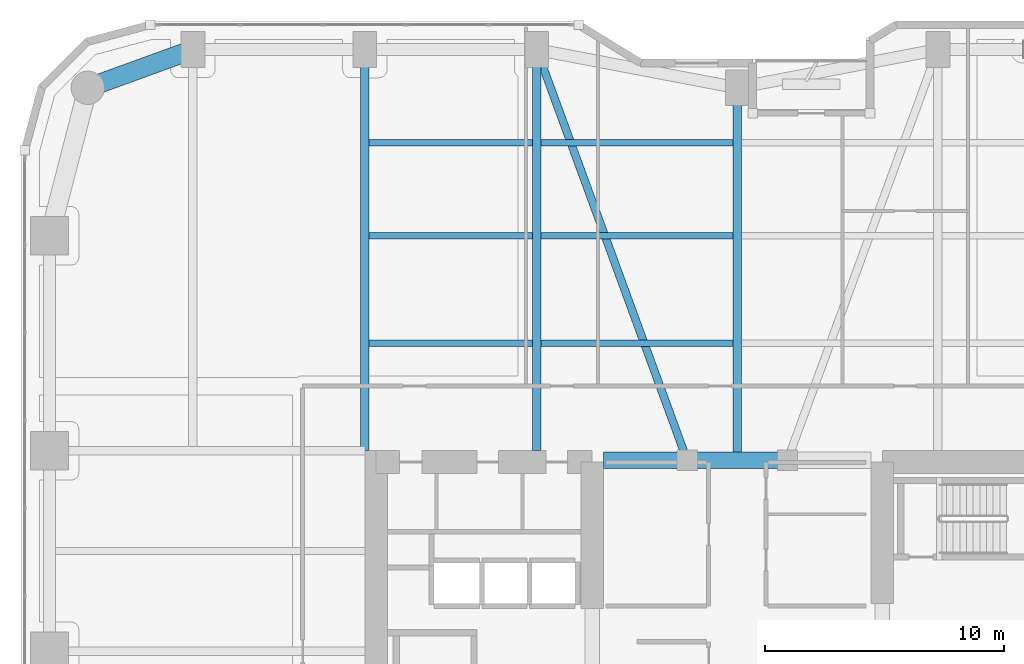
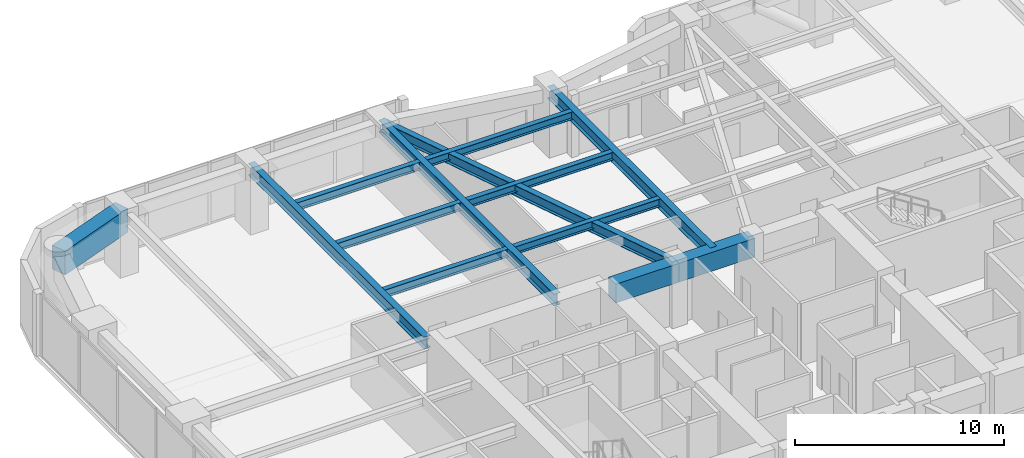
# One storey, part 15 of 29: 13 beams.
"""IFC4 building model written with IfcOpenShell, lengths in metres."""

from ifc_helpers import new_model, si_unit, direction, frame, origin, origin_2d, place, context, subcontext, project, spatial, rectangle, i_section, extrude, material, material_profile, profile_set, type_object, element, save


model = new_model("IFC4")

# Units and contexts
model_context = context("Model", 3, precision=1e-05, world=origin(), true_north=direction((0.0, 1.0)))
body_context = subcontext(model_context, "Body", "Model", "MODEL_VIEW")
ifc_project = project(units=[si_unit("LENGTHUNIT", "METRE"), si_unit("AREAUNIT", "SQUARE_METRE"), si_unit("VOLUMEUNIT", "CUBIC_METRE"), si_unit("PLANEANGLEUNIT", "RADIAN"), si_unit("MASSUNIT", "GRAM", prefix="KILO")], contexts=[model_context])

# Site, building, storey
site_placement = place(None, origin())
site = spatial("IfcSite", under=ifc_project, at=site_placement, CompositionType="ELEMENT")
building_placement = place(site_placement, origin())
building = spatial("IfcBuilding", under=site, at=building_placement, Name="Kiyonajd Concourse Tower", CompositionType="ELEMENT")
storey_placement = place(building_placement, frame((0.0, 0.0, 52.800048828125)))
storey = spatial("IfcBuildingStorey", under=building, at=storey_placement, Name="L14", CompositionType="ELEMENT", Elevation=52.800048828125)

# Beams
ifc_material_1 = material(Name="Concrete C70/85", Category="concrete")
ifc_material_profile_1 = material_profile(ifc_material_1, rectangle(XDim=0.699951171875, YDim=1.10009765625, at=origin_2d()), Name="RCBM-700x1100")
ifc_profile_set_1 = profile_set([ifc_material_profile_1], Name="Concrete C70/85")
beam_type_1 = type_object("IfcBeamType", Name="BM-COUP-1100", PredefinedType="LINTEL", material=ifc_profile_set_1)
beam_1_placement = place(storey_placement, frame((42.39990234375, 44.0, 3.08984375), z_axis=(1.0, 0.0, 0.0), x_axis=(0.0, 1.0, 0.0)))
element("IfcBeam", 1, at=beam_1_placement, inside=storey, type_object=beam_type_1, Name="L14 Core Coupling Beam N1", PredefinedType="LINTEL", context=body_context, shape_type="SweptSolid", body=[
    extrude(rectangle(XDim=0.699951171875, YDim=1.10009765625, at=origin_2d()), origin(), (0.0, 0.0, 1.0), 3.5),
])
beam_2_placement = place(storey_placement, frame((45.89990234375, 44.0, 3.08984375), z_axis=(1.0, 0.0, 0.0), x_axis=(0.0, 1.0, 0.0)))
element("IfcBeam", 2, at=beam_2_placement, inside=storey, type_object=beam_type_1, Name="L14 Core Coupling Beam N2", PredefinedType="LINTEL", context=body_context, shape_type="SweptSolid", body=[
    extrude(rectangle(XDim=0.699951171875, YDim=1.10009765625, at=origin_2d()), origin(), (0.0, 0.0, 1.0), 4.2001953125),
])
ifc_material_2 = material(Name="Steel ASTM A992 Grade 50", Category="steel")
ifc_material_profile_2 = material_profile(ifc_material_2, i_section(OverallWidth=0.280029296875, OverallDepth=0.462890625, WebThickness=0.0107421875, FlangeThickness=0.017333984375, at=origin_2d()), Name="W460X113")
ifc_profile_set_2 = profile_set([ifc_material_profile_2], Name="Steel ASTM A992 Grade 50")
beam_type_2 = type_object("IfcBeamType", Name="BM-JST-460A", PredefinedType="JOIST", material=ifc_profile_set_2)
beam_3_placement = place(storey_placement, frame((32.577392578125, 48.89990234375, 3.408447265625), z_axis=(1.0, 0.0, 0.0), x_axis=(0.0, 1.0, 0.0)))
element("IfcBeam", 3, at=beam_3_placement, inside=storey, type_object=beam_type_2, Name="L14 Secondary Floor Joist", PredefinedType="JOIST", context=body_context, shape_type="SweptSolid", body=[
    extrude(i_section(OverallWidth=0.280029296875, OverallDepth=0.462890625, WebThickness=0.0107421875, FlangeThickness=0.017333984375, at=origin_2d()), origin(), (0.0, 0.0, 1.0), 6.84521484375),
])
beam_4_placement = place(storey_placement, frame((39.777587890625, 48.89990234375, 3.408447265625), z_axis=(1.0, 0.0, 0.0), x_axis=(0.0, 1.0, 0.0)))
element("IfcBeam", 4, at=beam_4_placement, inside=storey, type_object=beam_type_2, Name="L14 Secondary Floor Joist", PredefinedType="JOIST", context=body_context, shape_type="SweptSolid", body=[
    extrude(i_section(OverallWidth=0.280029296875, OverallDepth=0.462890625, WebThickness=0.0107421875, FlangeThickness=0.017333984375, at=origin_2d()), origin(), (0.0, 0.0, 1.0), 8.044921875),
])
beam_5_placement = place(storey_placement, frame((32.577392578125, 53.39990234375, 3.408447265625), z_axis=(1.0, 0.0, 0.0), x_axis=(0.0, 1.0, 0.0)))
element("IfcBeam", 5, at=beam_5_placement, inside=storey, type_object=beam_type_2, Name="L14 Secondary Floor Joist", PredefinedType="JOIST", context=body_context, shape_type="SweptSolid", body=[
    extrude(i_section(OverallWidth=0.280029296875, OverallDepth=0.462890625, WebThickness=0.0107421875, FlangeThickness=0.017333984375, at=origin_2d()), origin(), (0.0, 0.0, 1.0), 6.84521484375),
])
beam_6_placement = place(storey_placement, frame((39.777587890625, 53.39990234375, 3.408447265625), z_axis=(1.0, 0.0, 0.0), x_axis=(0.0, 1.0, 0.0)))
element("IfcBeam", 6, at=beam_6_placement, inside=storey, type_object=beam_type_2, Name="L14 Secondary Floor Joist", PredefinedType="JOIST", context=body_context, shape_type="SweptSolid", body=[
    extrude(i_section(OverallWidth=0.280029296875, OverallDepth=0.462890625, WebThickness=0.0107421875, FlangeThickness=0.017333984375, at=origin_2d()), origin(), (0.0, 0.0, 1.0), 8.044921875),
])
beam_7_placement = place(storey_placement, frame((32.577392578125, 57.300048828125, 3.408447265625), z_axis=(1.0, 0.0, 0.0), x_axis=(0.0, 1.0, 0.0)))
element("IfcBeam", 7, at=beam_7_placement, inside=storey, type_object=beam_type_2, Name="L14 Secondary Floor Joist", PredefinedType="JOIST", context=body_context, shape_type="SweptSolid", body=[
    extrude(i_section(OverallWidth=0.280029296875, OverallDepth=0.462890625, WebThickness=0.0107421875, FlangeThickness=0.017333984375, at=origin_2d()), origin(), (0.0, 0.0, 1.0), 6.84521484375),
])
beam_8_placement = place(storey_placement, frame((39.777587890625, 57.300048828125, 3.408447265625), z_axis=(1.0, 0.0, 0.0), x_axis=(0.0, 1.0, 0.0)))
element("IfcBeam", 8, at=beam_8_placement, inside=storey, type_object=beam_type_2, Name="L14 Secondary Floor Joist", PredefinedType="JOIST", context=body_context, shape_type="SweptSolid", body=[
    extrude(i_section(OverallWidth=0.280029296875, OverallDepth=0.462890625, WebThickness=0.0107421875, FlangeThickness=0.017333984375, at=origin_2d()), origin(), (0.0, 0.0, 1.0), 8.044921875),
])
ifc_material_profile_3 = material_profile(ifc_material_2, i_section(OverallWidth=0.326904296875, OverallDepth=0.6220703125, WebThickness=0.015380859375, FlangeThickness=0.0244140625, at=origin_2d()), Name="W610X195")
ifc_profile_set_3 = profile_set([ifc_material_profile_3], Name="Steel ASTM A992 Grade 50")
beam_type_3 = type_object("IfcBeamType", Name="BM-TWR-610A", PredefinedType="BEAM", material=ifc_profile_set_3)
beam_9_placement = place(storey_placement, frame((39.60009765625, 61.199951171875, 3.328857421875), z_axis=(0.343925269715, -0.938997022813, 0.0), x_axis=(0.938997022813, 0.343925269715, 0.0)))
element("IfcBeam", 9, at=beam_9_placement, inside=storey, type_object=beam_type_3, Name="L14 Core Tie Girder", PredefinedType="BEAM", context=body_context, shape_type="SweptSolid", body=[
    extrude(i_section(OverallWidth=0.326904296875, OverallDepth=0.6220703125, WebThickness=0.015380859375, FlangeThickness=0.0244140625, at=origin_2d()), origin(), (0.0, 0.0, 1.0), 18.3173828125),
])
ifc_material_profile_4 = material_profile(ifc_material_2, i_section(OverallWidth=0.35498046875, OverallDepth=0.695068359375, WebThickness=0.015380859375, FlangeThickness=0.02490234375, at=origin_2d()), Name="W690X217")
ifc_profile_set_4 = profile_set([ifc_material_profile_4], Name="Steel ASTM A992 Grade 50")
beam_type_4 = type_object("IfcBeamType", Name="BM-TWR-690", PredefinedType="BEAM", material=ifc_profile_set_4)
for number, where, z_axis, x_axis, name in (
    (10, (32.39990234375, 44.39990234375, 3.29248046875), (0.0, 1.0, 0.0), (-1.0, 0.0, 0.0), "L14 North Lease Girder"),
    (11, (39.60009765625, 44.39990234375, 3.29248046875), (0.0, 1.0, 0.0), (-1.0, 0.0, 0.0), "L14 North Lease Girder"),
):
    element("IfcBeam", number, at=place(storey_placement, frame(where, z_axis=z_axis, x_axis=x_axis)), inside=storey, type_object=beam_type_4, Name=name, PredefinedType="BEAM", context=body_context, shape_type="SweptSolid", body=[
        extrude(i_section(OverallWidth=0.35498046875, OverallDepth=0.695068359375, WebThickness=0.015380859375, FlangeThickness=0.02490234375, at=origin_2d()), origin(), (0.0, 0.0, 1.0), 16.800048828125),
    ])
beam_10_placement = place(storey_placement, frame((48.0, 44.0, 3.29248046875), z_axis=(0.0, 1.0, 0.0), x_axis=(-1.0, 0.0, 0.0)))
element("IfcBeam", 12, at=beam_10_placement, inside=storey, type_object=beam_type_4, Name="L14 North Ribbon Girder", PredefinedType="BEAM", context=body_context, shape_type="SweptSolid", body=[
    extrude(i_section(OverallWidth=0.35498046875, OverallDepth=0.695068359375, WebThickness=0.015380859375, FlangeThickness=0.02490234375, at=origin_2d()), origin(), (0.0, 0.0, 1.0), 15.60009765625),
])
ifc_material_3 = material(Name="Concrete C60/75", Category="concrete")
ifc_material_profile_5 = material_profile(ifc_material_3, rectangle(XDim=0.800048828125, YDim=1.39990234375, at=origin_2d()), Name="RCBM-800x1400")
ifc_profile_set_5 = profile_set([ifc_material_profile_5], Name="Concrete C60/75")
beam_type_5 = type_object("IfcBeamType", Name="BM-XFER-RC", PredefinedType="BEAM", material=ifc_profile_set_5)
beam_11_placement = place(storey_placement, frame((25.199951171875, 61.199951171875, 2.93994140625), z_axis=(-0.939801036019, -0.341722127901, 0.0), x_axis=(0.341722127901, -0.939801036019, 0.0)))
element("IfcBeam", 13, at=beam_11_placement, inside=storey, type_object=beam_type_5, Name="L14 Perimeter Bundled Tube Spandrel", PredefinedType="BEAM", context=body_context, shape_type="SweptSolid", body=[
    extrude(rectangle(XDim=0.800048828125, YDim=1.39990234375, at=origin_2d()), origin(), (0.0, 0.0, 1.0), 4.681640625),
])

save(model, "model.ifc")
